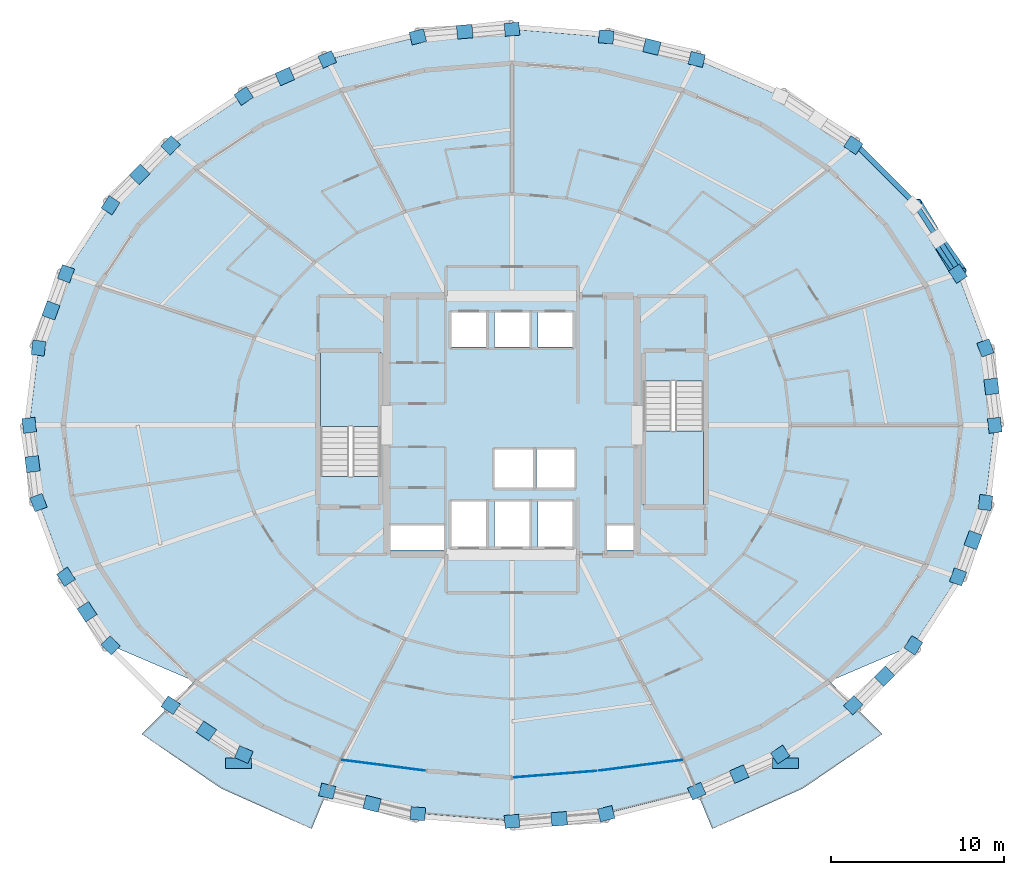
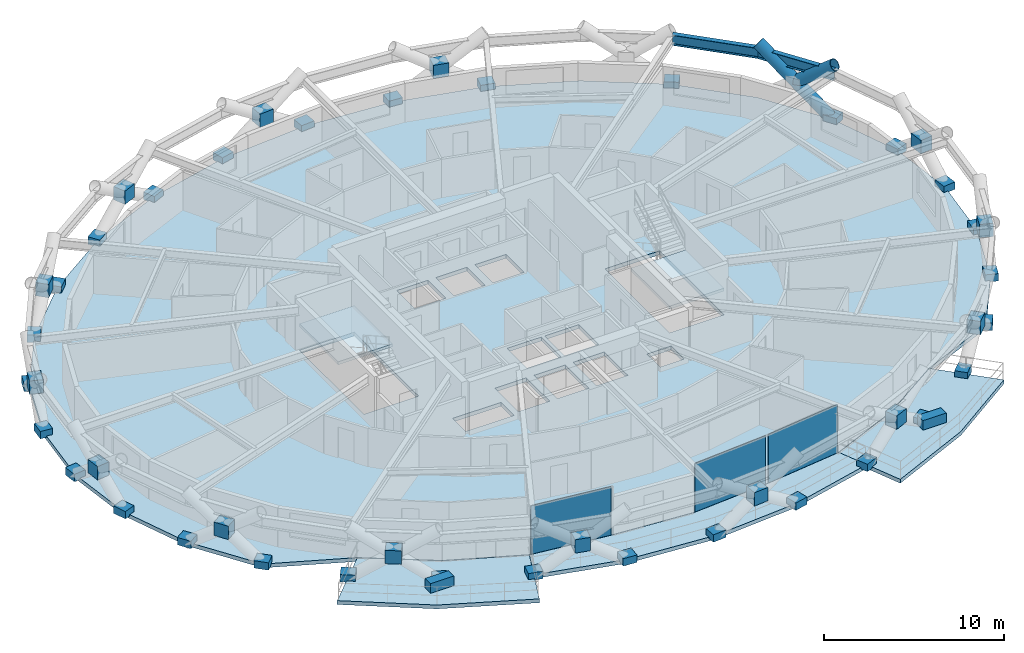
# One storey, part 6 of 13: 49 plates, 6 slabs, 2 beams, 2 members, 4 elements without a shape of their own.
"""IFC4 building model written with IfcOpenShell, lengths in metres."""

from ifc_helpers import new_model, si_unit, direction, frame, origin, origin_2d, place, context, subcontext, project, spatial, polyline, rectangle, hollow_circle, i_section, outline, extrude, material, layer, layer_set, material_profile, profile_set, type_object, element, aggregate, save


model = new_model("IFC4")

# Units and contexts
model_context = context("Model", 3, precision=1e-05, world=origin(), true_north=direction((0.0, 1.0)))
body_context = subcontext(model_context, "Body", "Model", "MODEL_VIEW")
ifc_project = project(units=[si_unit("LENGTHUNIT", "METRE"), si_unit("AREAUNIT", "SQUARE_METRE"), si_unit("VOLUMEUNIT", "CUBIC_METRE"), si_unit("PLANEANGLEUNIT", "RADIAN"), si_unit("MASSUNIT", "GRAM", prefix="KILO")], contexts=[model_context])

# Site, building, storey
site_placement = place(None, origin())
site = spatial("IfcSite", under=ifc_project, at=site_placement, CompositionType="ELEMENT")
building_placement = place(site_placement, origin())
building = spatial("IfcBuilding", under=site, at=building_placement, Name="Veldorina Hangang Commons", CompositionType="ELEMENT")
storey_placement = place(building_placement, frame((0.0, 0.0, 37.60009765625)))
storey = spatial("IfcBuildingStorey", under=building, at=storey_placement, Name="L08", CompositionType="ELEMENT", Elevation=37.60009765625)

# Beams
ifc_material_1 = material(Name="Steel SM460-TMC", Category="steel")
ifc_material_profile_1 = material_profile(ifc_material_1, i_section(OverallWidth=0.300048828125, OverallDepth=0.699951171875, WebThickness=0.012939453125, FlangeThickness=0.02392578125, FilletRadius=0.02197265625, at=origin_2d()), Name="H-700x300x13x24")
ifc_profile_set_1 = profile_set([ifc_material_profile_1], Name="Steel SM460-TMC")
beam_type = type_object("IfcBeamType", Name="BM-RB700", PredefinedType="BEAM", material=ifc_profile_set_1)
beam_1_placement = place(storey_placement, frame((57.839111328125, 32.78955078125, 2.989990234375), z_axis=(-0.545522532992, 0.83809615558, 0.0), x_axis=(-0.83809615558, -0.545522532992, 0.0)))
element("IfcBeam", 1, at=beam_1_placement, inside=storey, type_object=beam_type, Name="L08 perimeter hoop ring beam 02", PredefinedType="BEAM", context=body_context, shape_type="SweptSolid", body=[
    extrude(i_section(OverallWidth=0.300048828125, OverallDepth=0.699951171875, WebThickness=0.012939453125, FlangeThickness=0.02392578125, FilletRadius=0.02197265625, at=origin_2d()), origin(), (0.0, 0.0, 1.0), 4.738037109375),
])
beam_2_placement = place(storey_placement, frame((55.25439453125, 36.760498046875, 2.989990234375), z_axis=(-0.706883456899, 0.707330034964, 0.0), x_axis=(-0.707330034964, -0.706883456899, 0.0)))
element("IfcBeam", 2, at=beam_2_placement, inside=storey, type_object=beam_type, Name="L08 perimeter hoop ring beam 03", PredefinedType="BEAM", context=body_context, shape_type="SweptSolid", body=[
    extrude(i_section(OverallWidth=0.300048828125, OverallDepth=0.699951171875, WebThickness=0.012939453125, FlangeThickness=0.02392578125, FilletRadius=0.02197265625, at=origin_2d()), origin(), (0.0, 0.0, 1.0), 4.920166015625),
])

# Members
ifc_material_profile_2 = material_profile(ifc_material_1, hollow_circle(Radius=0.375, WallThickness=0.035888671875, at=origin_2d()), Name="CHS-750x36")
ifc_profile_set_2 = profile_set([ifc_material_profile_2], Name="Steel SM460-TMC")
member_type = type_object("IfcMemberType", Name="DG-CHS750", PredefinedType="BRACE", material=ifc_profile_set_2)
member_1_placement = place(storey_placement, frame((57.715087890625, 32.738037109375, 0.0), z_axis=(-0.410859884206, 0.680500827741, 0.606722983737), x_axis=(-0.856069198916, -0.516861225733, 0.0)))
element("IfcMember", 3, at=member_1_placement, inside=storey, type_object=member_type, Name="L08 continuous perimeter diagrid brace 02", PredefinedType="BRACE", context=body_context, shape_type="SweptSolid", body=[
    extrude(hollow_circle(Radius=0.375, WallThickness=0.035888671875, at=origin_2d()), origin(), (0.0, 0.0, 1.0), 5.933349609375),
])
member_2_placement = place(storey_placement, frame((56.500244140625, 34.75, 1.7939453125), z_axis=(0.456664106197, -0.652715858303, 0.604499712516), x_axis=(0.819371663954, 0.573262659093, 0.0)))
element("IfcMember", 4, at=member_2_placement, inside=storey, type_object=member_type, Name="L08 split perimeter diagrid upper brace 03", PredefinedType="BRACE", context=body_context, shape_type="SweptSolid", body=[
    extrude(hollow_circle(Radius=0.375, WallThickness=0.035888671875, at=origin_2d()), origin(), (0.0, 0.0, 1.0), 2.987548828125),
])

# Curtain wall, plate
ifc_material_2 = material(Name="Glass Low-E Triple IGU", Category="glass")
ifc_layer_1 = layer(ifc_material_2, 0.179931640625)
ifc_layer_set_1 = layer_set([ifc_layer_1], Name="Glass Low-E Triple IGU")
curtain_wall_type = type_object("IfcCurtainWallType", Name="CW-SYS-Z1", PredefinedType="NOTDEFINED", material=ifc_layer_set_1)
curtain_wall_1_placement = place(storey_placement, origin())
curtain_wall_1 = element("IfcCurtainWall", 5, at=curtain_wall_1_placement, inside=storey, type_object=curtain_wall_type, Name="L08 unitised curtain wall CW-L08-R1", PredefinedType="NOTDEFINED")
ifc_layer_2 = layer(ifc_material_2, 0.0400390625)
ifc_layer_set_2 = layer_set([ifc_layer_2], Name="Glass Low-E Triple IGU")
plate_type_1 = type_object("IfcPlateType", Name="CW-PNL-VIS", PredefinedType="CURTAIN_PANEL", material=ifc_layer_set_2)
plate_1_placement = place(storey_placement, frame((24.580078125, 4.395751953125, 0.014892578125), z_axis=(0.0, 0.0, 1.0), x_axis=(0.991823321629, -0.127618567118, 0.0)))
plate_1 = element("IfcPlate", 6, at=plate_1_placement, type_object=plate_type_1, Name="CW-L08-R1 facet 1 glazed vision panel", PredefinedType="CURTAIN_PANEL", context=body_context, shape_type="SweptSolid", body=[
    extrude(rectangle(XDim=4.823974609375, YDim=0.0400390625, at=origin_2d()), origin(), (0.0, 0.0, 1.0), 3.27001953125),
])
aggregate(curtain_wall_1, [plate_1])

# Curtain wall, plates
curtain_wall_2_placement = place(storey_placement, origin())
curtain_wall_2 = element("IfcCurtainWall", 7, at=curtain_wall_2_placement, inside=storey, type_object=curtain_wall_type, Name="L08 unitised curtain wall CW-L08-R2", PredefinedType="NOTDEFINED")
plate_2_placement = place(storey_placement, frame((34.46923828125, 3.88134765625, 0.014892578125), z_axis=(0.0, 0.0, 1.0), x_axis=(0.996891260898, 0.078789681715, 0.0)))
plate_2 = element("IfcPlate", 8, at=plate_2_placement, type_object=plate_type_1, Name="CW-L08-R2 facet 1 glazed vision panel", PredefinedType="CURTAIN_PANEL", context=body_context, shape_type="SweptSolid", body=[
    extrude(rectangle(XDim=4.77392578125, YDim=0.0400390625, at=origin_2d()), origin(), (0.0, 0.0, 1.0), 3.27001953125),
])
plate_3_placement = place(storey_placement, frame((39.419921875, 4.395751953125, 0.014892578125), z_axis=(0.0, 0.0, 1.0), x_axis=(0.991823321629, 0.127618567118, 0.0)))
plate_3 = element("IfcPlate", 9, at=plate_3_placement, type_object=plate_type_1, Name="CW-L08-R2 facet 2 glazed vision panel", PredefinedType="CURTAIN_PANEL", context=body_context, shape_type="SweptSolid", body=[
    extrude(rectangle(XDim=4.823974609375, YDim=0.0400390625, at=origin_2d()), origin(), (0.0, 0.0, 1.0), 3.27001953125),
])
aggregate(curtain_wall_2, [plate_2, plate_3])

# Plates
ifc_layer_3 = layer(ifc_material_1, 0.035888671875)
ifc_layer_set_3 = layer_set([ifc_layer_3], Name="Steel SM460-TMC")
plate_type_2 = type_object("IfcPlateType", Name="PL-STAR-36", PredefinedType="USERDEFINED", material=ifc_layer_set_3)
plate_4_placement = place(storey_placement, frame((59.833740234375, 24.0, -0.090087890625), z_axis=(0.0, 0.0, 1.0), x_axis=(-0.119201133865, 0.9928701273, 0.0)))
element("IfcPlate", 10, at=plate_4_placement, inside=storey, type_object=plate_type_2, Name="L08 diagrid star-node gusset plate 00", ObjectType="GUSSET PLATE", PredefinedType="USERDEFINED", context=body_context, shape_type="SweptSolid", body=[
    extrude(rectangle(XDim=0.85009765625, YDim=0.75, at=origin_2d()), origin(), (0.0, 0.0, 1.0), 0.5),
])
plate_5_placement = place(storey_placement, frame((59.646240234375, 26.235107421875, 1.34375), z_axis=(0.0, 0.0, 1.0), x_axis=(-0.119201133865, 0.9928701273, 0.0)))
element("IfcPlate", 11, at=plate_5_placement, inside=storey, type_object=plate_type_2, Name="L08 diagrid X-crossing star-node gusset plate 00", ObjectType="GUSSET PLATE", PredefinedType="USERDEFINED", context=body_context, shape_type="SweptSolid", body=[
    extrude(rectangle(XDim=0.89990234375, YDim=0.780029296875, at=origin_2d()), origin(), (0.0, 0.0, 1.0), 0.89990234375),
])
for number, where, z_axis, x_axis, name in (
    (12, (59.299072265625, 28.45458984375, -0.090087890625), (0.0, 0.0, 1.0), (-0.346821064235, 0.937931313798, 0.0), "L08 diagrid star-node gusset plate 01"),
    (13, (57.715087890625, 32.738037109375, -0.090087890625), (0.0, 0.0, 1.0), (-0.545897251417, 0.837852129493, 0.0), "L08 diagrid star-node gusset plate 02"),
    (14, (51.681396484375, 40.14599609375, -0.090087890625), (0.0, 0.0, 1.0), (-0.829525244685, 0.558469218875, 0.0), "L08 diagrid star-node gusset plate 04"),
    (15, (42.651611328125, 45.095703125, -0.090087890625), (0.0, 0.0, 1.0), (-0.970401192248, 0.241498501205, 0.0), "L08 diagrid star-node gusset plate 06"),
):
    element("IfcPlate", number, at=place(storey_placement, frame(where, z_axis=z_axis, x_axis=x_axis)), inside=storey, type_object=plate_type_2, Name=name, ObjectType="GUSSET PLATE", PredefinedType="USERDEFINED", context=body_context, shape_type="SweptSolid", body=[
        extrude(rectangle(XDim=0.85009765625, YDim=0.75, at=origin_2d()), origin(), (0.0, 0.0, 1.0), 0.5),
    ])
plate_6_placement = place(storey_placement, frame((40.064208984375, 45.822509765625, 1.3447265625), z_axis=(0.0, 0.0, 1.0), x_axis=(-0.970401192248, 0.241498501205, 0.0)))
element("IfcPlate", 16, at=plate_6_placement, inside=storey, type_object=plate_type_2, Name="L08 diagrid X-crossing star-node gusset plate 06", ObjectType="GUSSET PLATE", PredefinedType="USERDEFINED", context=body_context, shape_type="SweptSolid", body=[
    extrude(rectangle(XDim=0.89990234375, YDim=0.780029296875, at=origin_2d()), origin(), (0.0, 0.0, 1.0), 0.89990234375),
])
for number, where, z_axis, x_axis, name in (
    (17, (37.43017578125, 46.39501953125, -0.090087890625), (0.0, 0.0, 1.0), (-0.99675222868, 0.080529464307, 0.0), "L08 diagrid star-node gusset plate 07"),
    (18, (32.0, 46.833740234375, -0.090087890625), (0.0, 0.0, 1.0), (-0.99675222868, -0.080529464307, 0.0), "L08 diagrid star-node gusset plate 08"),
):
    element("IfcPlate", number, at=place(storey_placement, frame(where, z_axis=z_axis, x_axis=x_axis)), inside=storey, type_object=plate_type_2, Name=name, ObjectType="GUSSET PLATE", PredefinedType="USERDEFINED", context=body_context, shape_type="SweptSolid", body=[
        extrude(rectangle(XDim=0.85009765625, YDim=0.75, at=origin_2d()), origin(), (0.0, 0.0, 1.0), 0.5),
    ])
plate_7_placement = place(storey_placement, frame((29.277099609375, 46.694091796875, 1.3447265625), z_axis=(0.0, 0.0, 1.0), x_axis=(-0.99675222868, -0.080529464307, 0.0)))
element("IfcPlate", 19, at=plate_7_placement, inside=storey, type_object=plate_type_2, Name="L08 diagrid X-crossing star-node gusset plate 08", ObjectType="GUSSET PLATE", PredefinedType="USERDEFINED", context=body_context, shape_type="SweptSolid", body=[
    extrude(rectangle(XDim=0.89990234375, YDim=0.780029296875, at=origin_2d()), origin(), (0.0, 0.0, 1.0), 0.89990234375),
])
for number, where, z_axis, x_axis, name in (
    (20, (26.56982421875, 46.39501953125, -0.090087890625), (0.0, 0.0, 1.0), (-0.970401192248, -0.241498501205, 0.0), "L08 diagrid star-node gusset plate 09"),
    (21, (21.348388671875, 45.095703125, -0.090087890625), (0.0, 0.0, 1.0), (-0.915823871738, -0.401580173757, 0.0), "L08 diagrid star-node gusset plate 10"),
):
    element("IfcPlate", number, at=place(storey_placement, frame(where, z_axis=z_axis, x_axis=x_axis)), inside=storey, type_object=plate_type_2, Name=name, ObjectType="GUSSET PLATE", PredefinedType="USERDEFINED", context=body_context, shape_type="SweptSolid", body=[
        extrude(rectangle(XDim=0.85009765625, YDim=0.75, at=origin_2d()), origin(), (0.0, 0.0, 1.0), 0.5),
    ])
plate_8_placement = place(storey_placement, frame((18.90478515625, 44.11083984375, 1.344482421875), z_axis=(0.0, 0.0, 1.0), x_axis=(-0.915823871738, -0.401580173757, 0.0)))
element("IfcPlate", 22, at=plate_8_placement, inside=storey, type_object=plate_type_2, Name="L08 diagrid X-crossing star-node gusset plate 10", ObjectType="GUSSET PLATE", PredefinedType="USERDEFINED", context=body_context, shape_type="SweptSolid", body=[
    extrude(rectangle(XDim=0.89990234375, YDim=0.780029296875, at=origin_2d()), origin(), (0.0, 0.0, 1.0), 0.89990234375),
])
for number, where, z_axis, x_axis, name in (
    (23, (16.536376953125, 42.985595703125, -0.090087890625), (0.0, 0.0, 1.0), (-0.829525244685, -0.558469218875, 0.0), "L08 diagrid star-node gusset plate 11"),
    (24, (12.318603515625, 40.14599609375, -0.090087890625), (0.0, 0.0, 1.0), (-0.707254861775, -0.706958669581, 0.0), "L08 diagrid star-node gusset plate 12"),
):
    element("IfcPlate", number, at=place(storey_placement, frame(where, z_axis=z_axis, x_axis=x_axis)), inside=storey, type_object=plate_type_2, Name=name, ObjectType="GUSSET PLATE", PredefinedType="USERDEFINED", context=body_context, shape_type="SweptSolid", body=[
        extrude(rectangle(XDim=0.85009765625, YDim=0.75, at=origin_2d()), origin(), (0.0, 0.0, 1.0), 0.5),
    ])
plate_9_placement = place(storey_placement, frame((10.5263671875, 38.46630859375, 1.34423828125), z_axis=(0.0, 0.0, 1.0), x_axis=(-0.707254861775, -0.706958669581, 0.0)))
element("IfcPlate", 25, at=plate_9_placement, inside=storey, type_object=plate_type_2, Name="L08 diagrid X-crossing star-node gusset plate 12", ObjectType="GUSSET PLATE", PredefinedType="USERDEFINED", context=body_context, shape_type="SweptSolid", body=[
    extrude(rectangle(XDim=0.89990234375, YDim=0.780029296875, at=origin_2d()), origin(), (0.0, 0.0, 1.0), 0.89990234375),
])
for number, where, z_axis, x_axis, name in (
    (26, (8.85693359375, 36.685791015625, -0.090087890625), (0.0, 0.0, 1.0), (-0.545897251417, -0.837852129493, 0.0), "L08 diagrid star-node gusset plate 13"),
    (27, (6.284912109375, 32.738037109375, -0.090087890625), (0.0, 0.0, 1.0), (-0.346821064235, -0.937931313798, 0.0), "L08 diagrid star-node gusset plate 14"),
):
    element("IfcPlate", number, at=place(storey_placement, frame(where, z_axis=z_axis, x_axis=x_axis)), inside=storey, type_object=plate_type_2, Name=name, ObjectType="GUSSET PLATE", PredefinedType="USERDEFINED", context=body_context, shape_type="SweptSolid", body=[
        extrude(rectangle(XDim=0.85009765625, YDim=0.75, at=origin_2d()), origin(), (0.0, 0.0, 1.0), 0.5),
    ])
plate_10_placement = place(storey_placement, frame((5.416748046875, 30.619384765625, 1.34375), z_axis=(0.0, 0.0, 1.0), x_axis=(-0.346821064235, -0.937931313798, 0.0)))
element("IfcPlate", 28, at=plate_10_placement, inside=storey, type_object=plate_type_2, Name="L08 diagrid X-crossing star-node gusset plate 14", ObjectType="GUSSET PLATE", PredefinedType="USERDEFINED", context=body_context, shape_type="SweptSolid", body=[
    extrude(rectangle(XDim=0.89990234375, YDim=0.780029296875, at=origin_2d()), origin(), (0.0, 0.0, 1.0), 0.89990234375),
])
for number, where, z_axis, x_axis, name in (
    (29, (4.700927734375, 28.45458984375, -0.090087890625), (0.0, 0.0, 1.0), (-0.119201133865, -0.9928701273, 0.0), "L08 diagrid star-node gusset plate 15"),
    (30, (4.166259765625, 24.0, -0.090087890625), (0.0, 0.0, 1.0), (0.119201133865, -0.9928701273, 0.0), "L08 diagrid star-node gusset plate 16"),
):
    element("IfcPlate", number, at=place(storey_placement, frame(where, z_axis=z_axis, x_axis=x_axis)), inside=storey, type_object=plate_type_2, Name=name, ObjectType="GUSSET PLATE", PredefinedType="USERDEFINED", context=body_context, shape_type="SweptSolid", body=[
        extrude(rectangle(XDim=0.85009765625, YDim=0.75, at=origin_2d()), origin(), (0.0, 0.0, 1.0), 0.5),
    ])
plate_11_placement = place(storey_placement, frame((4.353759765625, 21.764892578125, 1.34375), z_axis=(0.0, 0.0, 1.0), x_axis=(0.119201133865, -0.9928701273, 0.0)))
element("IfcPlate", 31, at=plate_11_placement, inside=storey, type_object=plate_type_2, Name="L08 diagrid X-crossing star-node gusset plate 16", ObjectType="GUSSET PLATE", PredefinedType="USERDEFINED", context=body_context, shape_type="SweptSolid", body=[
    extrude(rectangle(XDim=0.89990234375, YDim=0.780029296875, at=origin_2d()), origin(), (0.0, 0.0, 1.0), 0.89990234375),
])
for number, where, z_axis, x_axis, name in (
    (32, (4.700927734375, 19.54541015625, -0.090087890625), (0.0, 0.0, 1.0), (0.346821064235, -0.937931313798, 0.0), "L08 diagrid star-node gusset plate 17"),
    (33, (6.284912109375, 15.261962890625, -0.090087890625), (0.0, 0.0, 1.0), (0.545897251417, -0.837852129493, 0.0), "L08 diagrid star-node gusset plate 18"),
):
    element("IfcPlate", number, at=place(storey_placement, frame(where, z_axis=z_axis, x_axis=x_axis)), inside=storey, type_object=plate_type_2, Name=name, ObjectType="GUSSET PLATE", PredefinedType="USERDEFINED", context=body_context, shape_type="SweptSolid", body=[
        extrude(rectangle(XDim=0.85009765625, YDim=0.75, at=origin_2d()), origin(), (0.0, 0.0, 1.0), 0.5),
    ])
plate_12_placement = place(storey_placement, frame((7.499755859375, 13.25, 1.343994140625), z_axis=(0.0, 0.0, 1.0), x_axis=(0.545897251417, -0.837852129493, 0.0)))
element("IfcPlate", 34, at=plate_12_placement, inside=storey, type_object=plate_type_2, Name="L08 diagrid X-crossing star-node gusset plate 18", ObjectType="GUSSET PLATE", PredefinedType="USERDEFINED", context=body_context, shape_type="SweptSolid", body=[
    extrude(rectangle(XDim=0.89990234375, YDim=0.780029296875, at=origin_2d()), origin(), (0.0, 0.0, 1.0), 0.89990234375),
])
for number, where, z_axis, x_axis, name in (
    (35, (8.85693359375, 11.314208984375, -0.090087890625), (0.0, 0.0, 1.0), (0.707254861775, -0.706958669581, 0.0), "L08 diagrid star-node gusset plate 19"),
    (36, (12.318603515625, 7.85400390625, -0.090087890625), (0.0, 0.0, 1.0), (0.829525244685, -0.558469218875, 0.0), "L08 diagrid star-node gusset plate 20"),
):
    element("IfcPlate", number, at=place(storey_placement, frame(where, z_axis=z_axis, x_axis=x_axis)), inside=storey, type_object=plate_type_2, Name=name, ObjectType="GUSSET PLATE", PredefinedType="USERDEFINED", context=body_context, shape_type="SweptSolid", body=[
        extrude(rectangle(XDim=0.85009765625, YDim=0.75, at=origin_2d()), origin(), (0.0, 0.0, 1.0), 0.5),
    ])
plate_13_placement = place(storey_placement, frame((14.376220703125, 6.37158203125, 1.34423828125), z_axis=(0.0, 0.0, 1.0), x_axis=(0.829525244685, -0.558469218875, 0.0)))
element("IfcPlate", 37, at=plate_13_placement, inside=storey, type_object=plate_type_2, Name="L08 diagrid X-crossing star-node gusset plate 20", ObjectType="GUSSET PLATE", PredefinedType="USERDEFINED", context=body_context, shape_type="SweptSolid", body=[
    extrude(rectangle(XDim=0.89990234375, YDim=0.780029296875, at=origin_2d()), origin(), (0.0, 0.0, 1.0), 0.89990234375),
])
for number, where, z_axis, x_axis, name in (
    (38, (16.536376953125, 5.014404296875, -0.090087890625), (0.0, 0.0, 1.0), (0.915823871738, -0.401580173757, 0.0), "L08 diagrid star-node gusset plate 21"),
    (39, (21.348388671875, 2.904296875, -0.090087890625), (0.0, 0.0, 1.0), (0.970401192248, -0.241498501205, 0.0), "L08 diagrid star-node gusset plate 22"),
):
    element("IfcPlate", number, at=place(storey_placement, frame(where, z_axis=z_axis, x_axis=x_axis)), inside=storey, type_object=plate_type_2, Name=name, ObjectType="GUSSET PLATE", PredefinedType="USERDEFINED", context=body_context, shape_type="SweptSolid", body=[
        extrude(rectangle(XDim=0.85009765625, YDim=0.75, at=origin_2d()), origin(), (0.0, 0.0, 1.0), 0.5),
    ])
plate_14_placement = place(storey_placement, frame((23.935791015625, 2.177490234375, 1.3447265625), z_axis=(0.0, 0.0, 1.0), x_axis=(0.970401192248, -0.241498501205, 0.0)))
element("IfcPlate", 40, at=plate_14_placement, inside=storey, type_object=plate_type_2, Name="L08 diagrid X-crossing star-node gusset plate 22", ObjectType="GUSSET PLATE", PredefinedType="USERDEFINED", context=body_context, shape_type="SweptSolid", body=[
    extrude(rectangle(XDim=0.89990234375, YDim=0.780029296875, at=origin_2d()), origin(), (0.0, 0.0, 1.0), 0.89990234375),
])
for number, where, z_axis, x_axis, name in (
    (41, (26.56982421875, 1.60498046875, -0.090087890625), (0.0, 0.0, 1.0), (0.99675222868, -0.080529464307, 0.0), "L08 diagrid star-node gusset plate 23"),
    (42, (32.0, 1.166259765625, -0.090087890625), (0.0, 0.0, 1.0), (0.99675222868, 0.080529464307, 0.0), "L08 diagrid star-node gusset plate 24"),
):
    element("IfcPlate", number, at=place(storey_placement, frame(where, z_axis=z_axis, x_axis=x_axis)), inside=storey, type_object=plate_type_2, Name=name, ObjectType="GUSSET PLATE", PredefinedType="USERDEFINED", context=body_context, shape_type="SweptSolid", body=[
        extrude(rectangle(XDim=0.85009765625, YDim=0.75, at=origin_2d()), origin(), (0.0, 0.0, 1.0), 0.5),
    ])
plate_15_placement = place(storey_placement, frame((34.722900390625, 1.305908203125, 1.3447265625), z_axis=(0.0, 0.0, 1.0), x_axis=(0.99675222868, 0.080529464307, 0.0)))
element("IfcPlate", 43, at=plate_15_placement, inside=storey, type_object=plate_type_2, Name="L08 diagrid X-crossing star-node gusset plate 24", ObjectType="GUSSET PLATE", PredefinedType="USERDEFINED", context=body_context, shape_type="SweptSolid", body=[
    extrude(rectangle(XDim=0.89990234375, YDim=0.780029296875, at=origin_2d()), origin(), (0.0, 0.0, 1.0), 0.89990234375),
])
for number, where, z_axis, x_axis, name in (
    (44, (37.43017578125, 1.60498046875, -0.090087890625), (0.0, 0.0, 1.0), (0.970401192248, 0.241498501205, 0.0), "L08 diagrid star-node gusset plate 25"),
    (45, (42.651611328125, 2.904296875, -0.090087890625), (0.0, 0.0, 1.0), (0.915823871738, 0.401580173757, 0.0), "L08 diagrid star-node gusset plate 26"),
):
    element("IfcPlate", number, at=place(storey_placement, frame(where, z_axis=z_axis, x_axis=x_axis)), inside=storey, type_object=plate_type_2, Name=name, ObjectType="GUSSET PLATE", PredefinedType="USERDEFINED", context=body_context, shape_type="SweptSolid", body=[
        extrude(rectangle(XDim=0.85009765625, YDim=0.75, at=origin_2d()), origin(), (0.0, 0.0, 1.0), 0.5),
    ])
plate_16_placement = place(storey_placement, frame((45.09521484375, 3.88916015625, 1.344482421875), z_axis=(0.0, 0.0, 1.0), x_axis=(0.915823871738, 0.401580173757, 0.0)))
element("IfcPlate", 46, at=plate_16_placement, inside=storey, type_object=plate_type_2, Name="L08 diagrid X-crossing star-node gusset plate 26", ObjectType="GUSSET PLATE", PredefinedType="USERDEFINED", context=body_context, shape_type="SweptSolid", body=[
    extrude(rectangle(XDim=0.89990234375, YDim=0.780029296875, at=origin_2d()), origin(), (0.0, 0.0, 1.0), 0.89990234375),
])
for number, where, z_axis, x_axis, name in (
    (47, (47.463623046875, 5.014404296875, -0.090087890625), (0.0, 0.0, 1.0), (0.829525244685, 0.558469218875, 0.0), "L08 diagrid star-node gusset plate 27"),
    (48, (51.681396484375, 7.85400390625, -0.090087890625), (0.0, 0.0, 1.0), (0.707254861775, 0.706958669581, 0.0), "L08 diagrid star-node gusset plate 28"),
):
    element("IfcPlate", number, at=place(storey_placement, frame(where, z_axis=z_axis, x_axis=x_axis)), inside=storey, type_object=plate_type_2, Name=name, ObjectType="GUSSET PLATE", PredefinedType="USERDEFINED", context=body_context, shape_type="SweptSolid", body=[
        extrude(rectangle(XDim=0.85009765625, YDim=0.75, at=origin_2d()), origin(), (0.0, 0.0, 1.0), 0.5),
    ])
plate_17_placement = place(storey_placement, frame((53.4736328125, 9.53369140625, 1.34423828125), z_axis=(0.0, 0.0, 1.0), x_axis=(0.707254861775, 0.706958669581, 0.0)))
element("IfcPlate", 49, at=plate_17_placement, inside=storey, type_object=plate_type_2, Name="L08 diagrid X-crossing star-node gusset plate 28", ObjectType="GUSSET PLATE", PredefinedType="USERDEFINED", context=body_context, shape_type="SweptSolid", body=[
    extrude(rectangle(XDim=0.89990234375, YDim=0.780029296875, at=origin_2d()), origin(), (0.0, 0.0, 1.0), 0.89990234375),
])
for number, where, z_axis, x_axis, name in (
    (50, (55.14306640625, 11.314208984375, -0.090087890625), (0.0, 0.0, 1.0), (0.545897251417, 0.837852129493, 0.0), "L08 diagrid star-node gusset plate 29"),
    (51, (57.715087890625, 15.261962890625, -0.090087890625), (0.0, 0.0, 1.0), (0.346821064235, 0.937931313798, 0.0), "L08 diagrid star-node gusset plate 30"),
):
    element("IfcPlate", number, at=place(storey_placement, frame(where, z_axis=z_axis, x_axis=x_axis)), inside=storey, type_object=plate_type_2, Name=name, ObjectType="GUSSET PLATE", PredefinedType="USERDEFINED", context=body_context, shape_type="SweptSolid", body=[
        extrude(rectangle(XDim=0.85009765625, YDim=0.75, at=origin_2d()), origin(), (0.0, 0.0, 1.0), 0.5),
    ])
plate_18_placement = place(storey_placement, frame((58.583251953125, 17.380615234375, 1.34375), z_axis=(0.0, 0.0, 1.0), x_axis=(0.346821064235, 0.937931313798, 0.0)))
element("IfcPlate", 52, at=plate_18_placement, inside=storey, type_object=plate_type_2, Name="L08 diagrid X-crossing star-node gusset plate 30", ObjectType="GUSSET PLATE", PredefinedType="USERDEFINED", context=body_context, shape_type="SweptSolid", body=[
    extrude(rectangle(XDim=0.89990234375, YDim=0.780029296875, at=origin_2d()), origin(), (0.0, 0.0, 1.0), 0.89990234375),
])
plate_19_placement = place(storey_placement, frame((59.299072265625, 19.54541015625, -0.090087890625), z_axis=(0.0, 0.0, 1.0), x_axis=(0.119201133865, 0.9928701273, 0.0)))
element("IfcPlate", 53, at=plate_19_placement, inside=storey, type_object=plate_type_2, Name="L08 diagrid star-node gusset plate 31", ObjectType="GUSSET PLATE", PredefinedType="USERDEFINED", context=body_context, shape_type="SweptSolid", body=[
    extrude(rectangle(XDim=0.85009765625, YDim=0.75, at=origin_2d()), origin(), (0.0, 0.0, 1.0), 0.5),
])
ifc_material_3 = material(Name="Stone Roman Travertine", Category="masonry")
ifc_layer_4 = layer(ifc_material_3, 0.64990234375)
ifc_layer_set_4 = layer_set([ifc_layer_4], Name="Stone Roman Travertine")
plate_type_3 = type_object("IfcPlateType", Name="PLN-TBAL-1800", PredefinedType="USERDEFINED", material=ifc_layer_set_4)
for number, where, z_axis, x_axis, name in (
    (54, (16.239990234375, 4.517578125, 0.0), (0.0, 0.0, 1.0), (1.0, 0.0, 0.0), "L08 TREE BALCONY PLANTER 1"),
    (55, (47.760009765625, 4.517578125, 0.0), (0.0, 0.0, 1.0), (1.0, 0.0, 0.0), "L08 TREE BALCONY PLANTER 2"),
):
    element("IfcPlate", number, at=place(storey_placement, frame(where, z_axis=z_axis, x_axis=x_axis)), inside=storey, type_object=plate_type_3, Name=name, ObjectType="PLANTER", PredefinedType="USERDEFINED", context=body_context, shape_type="SweptSolid", body=[
        extrude(rectangle(XDim=1.5, YDim=0.60009765625, at=origin_2d()), origin(), (0.0, 0.0, 1.0), 0.64990234375),
    ])

# Slabs
ifc_material_4 = material(Name="Concrete C40/50", Category="concrete")
ifc_layer_5 = layer(ifc_material_4, 0.260009765625)
ifc_layer_set_5 = layer_set([ifc_layer_5], Name="Concrete C40/50")
slab_type_1 = type_object("IfcSlabType", Name="SL-FLR-260", PredefinedType="FLOOR", material=ifc_layer_set_5)
slab_1_placement = place(storey_placement, frame((0.0, 0.0, -0.260009765625)))
element("IfcSlab", 56, at=slab_1_placement, inside=storey, type_object=slab_type_1, Name="L08 tower structural floor slab", PredefinedType="FLOOR", context=body_context, shape_type="SweptSolid", body=[
    extrude(outline(polyline([(59.833740234375, 24.0), (59.299072265625, 28.45458984375), (57.715087890625, 32.738037109375), (55.14306640625, 36.685791015625), (51.681396484375, 40.14599609375), (47.463623046875, 42.985595703125), (42.651611328125, 45.095703125), (37.43017578125, 46.39501953125), (32.0, 46.833740234375), (26.56982421875, 46.39501953125), (21.348388671875, 45.095703125), (16.536376953125, 42.985595703125), (12.318603515625, 40.14599609375), (8.85693359375, 36.685791015625), (6.284912109375, 32.738037109375), (4.700927734375, 28.45458984375), (4.166259765625, 24.0), (4.700927734375, 19.54541015625), (6.284912109375, 15.261962890625), (8.85693359375, 11.314208984375), (13.70458984375, 9.239990234375), (17.625244140625, 6.64404296875), (22.098388671875, 4.715087890625), (27.0615234375, 4.076416015625), (32.0, 3.686279296875), (36.9384765625, 4.076416015625), (41.901611328125, 4.715087890625), (46.374755859375, 6.64404296875), (50.29541015625, 9.239990234375), (55.14306640625, 11.314208984375), (57.715087890625, 15.261962890625), (59.299072265625, 19.54541015625), (59.833740234375, 24.0)]), holes=[polyline([(20.949951171875, 21.05810546875), (20.949951171875, 28.199951171875), (24.449951171875, 28.199951171875), (24.449951171875, 21.05810546875), (20.949951171875, 21.05810546875)]), polyline([(43.050048828125, 26.5419921875), (43.050048828125, 19.39990234375), (39.550048828125, 19.39990234375), (39.550048828125, 26.5419921875), (43.050048828125, 26.5419921875)]), polyline([(28.5, 30.5), (30.5, 30.5), (30.5, 28.5), (28.5, 28.5), (28.5, 30.5)]), polyline([(31.0, 30.5), (33.0, 30.5), (33.0, 28.5), (31.0, 28.5), (31.0, 30.5)]), polyline([(33.5, 30.5), (35.5, 30.5), (35.5, 28.5), (33.5, 28.5), (33.5, 30.5)]), polyline([(31.0, 22.60009765625), (33.199951171875, 22.60009765625), (33.199951171875, 20.39990234375), (31.0, 20.39990234375), (31.0, 22.60009765625)]), polyline([(33.39990234375, 22.60009765625), (35.60009765625, 22.60009765625), (35.60009765625, 20.39990234375), (33.39990234375, 20.39990234375), (33.39990234375, 22.60009765625)]), polyline([(28.5, 19.60009765625), (30.5, 19.60009765625), (30.5, 17.0), (28.5, 17.0), (28.5, 19.60009765625)]), polyline([(31.0, 19.60009765625), (33.0, 19.60009765625), (33.0, 17.0), (31.0, 17.0), (31.0, 19.60009765625)]), polyline([(33.5, 19.60009765625), (35.5, 19.60009765625), (35.5, 17.0), (33.5, 17.0), (33.5, 19.60009765625)]), polyline([(25.0, 18.25), (28.10009765625, 18.25), (28.10009765625, 16.800048828125), (25.0, 16.800048828125), (25.0, 18.25)]), polyline([(37.449951171875, 18.25), (39.0, 18.25), (39.0, 16.800048828125), (37.449951171875, 16.800048828125), (37.449951171875, 18.25)])]), origin(), (0.0, 0.0, 1.0), 0.260009765625),
])
slab_2_placement = place(storey_placement, frame((0.0, 0.0, -0.260009765625)))
element("IfcSlab", 57, at=slab_2_placement, inside=storey, type_object=slab_type_1, Name="L08 sky-garden loggia outdoor slab", PredefinedType="FLOOR", context=body_context, shape_type="SweptSolid", body=[
    extrude(outline(polyline([(42.651611328125, 2.904296875), (37.43017578125, 1.60498046875), (32.0, 1.166259765625), (26.56982421875, 1.60498046875), (21.348388671875, 2.904296875), (22.0927734375, 4.701171875), (22.093994140625, 4.70068359375), (22.09521484375, 4.700439453125), (22.0966796875, 4.7001953125), (27.0595703125, 4.0615234375), (27.060302734375, 4.0615234375), (31.998779296875, 3.671142578125), (32.0, 3.671142578125), (32.001220703125, 3.671142578125), (36.939697265625, 4.0615234375), (36.9404296875, 4.0615234375), (41.9033203125, 4.7001953125), (41.90478515625, 4.700439453125), (41.906005859375, 4.70068359375), (41.9072265625, 4.701171875), (42.651611328125, 2.904296875)])), origin(), (0.0, 0.0, 1.0), 0.260009765625),
])
slab_3_placement = place(storey_placement, frame((0.0, 0.0, -0.260009765625)))
element("IfcSlab", 58, at=slab_3_placement, inside=storey, type_object=slab_type_1, Name="L08 planted tree balcony slab 1", PredefinedType="FLOOR", context=body_context, shape_type="SweptSolid", body=[
    extrude(outline(polyline([(17.6142578125, 6.62744140625), (22.0908203125, 4.696533203125), (20.44921875, 0.733154296875), (15.230712890625, 3.060302734375), (10.65673828125, 6.1923828125), (13.690185546875, 9.225830078125), (17.6142578125, 6.62744140625)])), origin(), (0.0, 0.0, 1.0), 0.260009765625),
])
slab_4_placement = place(storey_placement, frame((0.0, 0.0, -0.260009765625)))
element("IfcSlab", 59, at=slab_4_placement, inside=storey, type_object=slab_type_1, Name="L08 planted tree balcony slab 2", PredefinedType="FLOOR", context=body_context, shape_type="SweptSolid", body=[
    extrude(outline(polyline([(46.3857421875, 6.62744140625), (50.309814453125, 9.225830078125), (53.34326171875, 6.1923828125), (48.769287109375, 3.060302734375), (43.55078125, 0.733154296875), (41.9091796875, 4.696533203125), (46.3857421875, 6.62744140625)])), origin(), (0.0, 0.0, 1.0), 0.260009765625),
])

# Stair, slab
stair_type = type_object("IfcStairType", Name="STR-DOG-1650-20R", PredefinedType="HALF_TURN_STAIR", material=ifc_material_4)
stair_1_placement = place(storey_placement, origin())
stair_1 = element("IfcStair", 60, at=stair_1_placement, inside=storey, type_object=stair_type, Name="L08 Exit stair ST-1", PredefinedType="HALF_TURN_STAIR")
ifc_layer_6 = layer(ifc_material_4, 0.199951171875)
ifc_layer_set_6 = layer_set([ifc_layer_6], Name="Concrete C40/50")
slab_type_2 = type_object("IfcSlabType", Name="SL-LND-200", PredefinedType="LANDING", material=ifc_layer_set_6)
slab_5_placement = place(storey_placement, frame((0.0, 0.0, 1.599853515625)))
slab_5 = element("IfcSlab", 61, at=slab_5_placement, type_object=slab_type_2, Name="ST-1 landing 1", PredefinedType="LANDING", context=body_context, shape_type="SweptSolid", body=[
    extrude(outline(polyline([(24.449951171875, 23.929931640625), (24.449951171875, 28.199951171875), (20.949951171875, 28.199951171875), (20.949951171875, 23.929931640625), (24.449951171875, 23.929931640625)])), origin(), (0.0, 0.0, 1.0), 0.199951171875),
])
aggregate(stair_1, [slab_5])

stair_2_placement = place(storey_placement, origin())
stair_2 = element("IfcStair", 62, at=stair_2_placement, inside=storey, type_object=stair_type, Name="L08 Exit stair ST-2", PredefinedType="HALF_TURN_STAIR")
slab_6_placement = place(storey_placement, frame((0.0, 0.0, 1.599853515625)))
slab_6 = element("IfcSlab", 63, at=slab_6_placement, type_object=slab_type_2, Name="ST-2 landing 1", PredefinedType="LANDING", context=body_context, shape_type="SweptSolid", body=[
    extrude(outline(polyline([(39.550048828125, 23.669921875), (39.550048828125, 19.39990234375), (43.050048828125, 19.39990234375), (43.050048828125, 23.669921875), (39.550048828125, 23.669921875)])), origin(), (0.0, 0.0, 1.0), 0.199951171875),
])
aggregate(stair_2, [slab_6])

save(model, "model.ifc")
